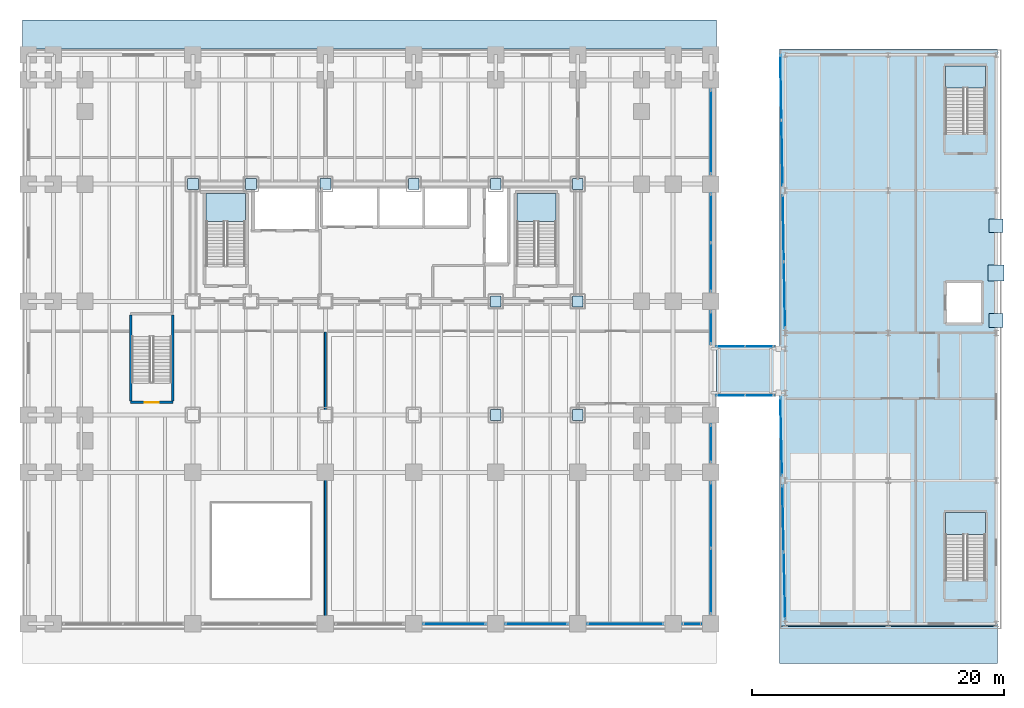
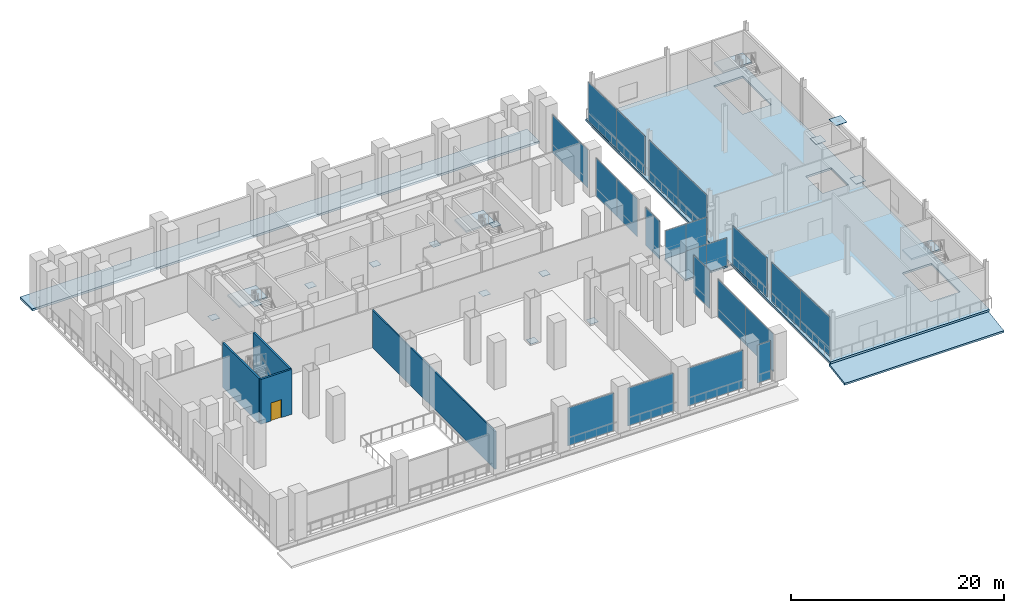
# One storey, part 19 of 32: 35 plates, 8 slabs, 4 walls, 1 door, 4 openings, 19 elements without a shape of their own.
"""IFC4 building model written with IfcOpenShell, lengths in metres."""

from ifc_helpers import new_model, si_unit, direction, frame, frame_2d, origin, origin_2d, place, context, subcontext, project, spatial, polyline, rectangle, outline, extrude, material, layer, layer_set, type_object, element, fill, aggregate, save


model = new_model("IFC4")

# Units and contexts
model_context = context("Model", 3, precision=1e-05, world=origin(), true_north=direction((0.0, 1.0)))
body_context = subcontext(model_context, "Body", "Model", "MODEL_VIEW")
ifc_project = project(units=[si_unit("LENGTHUNIT", "METRE"), si_unit("AREAUNIT", "SQUARE_METRE"), si_unit("VOLUMEUNIT", "CUBIC_METRE"), si_unit("PLANEANGLEUNIT", "RADIAN"), si_unit("MASSUNIT", "GRAM", prefix="KILO")], contexts=[model_context])

# Site, building, storey
site_placement = place(None, origin())
site = spatial("IfcSite", under=ifc_project, at=site_placement, CompositionType="ELEMENT")
building_placement = place(site_placement, origin())
building = spatial("IfcBuilding", under=site, at=building_placement, Name="Noeulbin Bourse Tower", CompositionType="ELEMENT")
storey_placement = place(building_placement, frame((0.0, 0.0, 5.800048828125)))
storey = spatial("IfcBuildingStorey", under=building, at=storey_placement, Name="L02", CompositionType="ELEMENT", Elevation=5.800048828125)

# Curtain wall, plate
ifc_material_1 = material(Name="Laminated Clear Low-E Glass", Category="glass")
curtain_wall_type_1 = type_object("IfcCurtainWallType", Name="CW-SYS-1", PredefinedType="NOTDEFINED", material=ifc_material_1)
curtain_wall_1_placement = place(storey_placement, origin())
curtain_wall_1 = element("IfcCurtainWall", 1, at=curtain_wall_1_placement, inside=storey, type_object=curtain_wall_type_1, Name="Unitised Curtain Wall CW-L02-POD-S-S4", PredefinedType="NOTDEFINED")
ifc_layer_1 = layer(ifc_material_1, 0.035888671875)
ifc_layer_set_1 = layer_set([ifc_layer_1], Name="Laminated Clear Low-E Glass")
plate_type_1 = type_object("IfcPlateType", Name="CW-SYS-1-PNL", PredefinedType="CURTAIN_PANEL", material=ifc_layer_set_1)
plate_1_placement = place(storey_placement, frame((34.25, 3.449951171875, 0.0), z_axis=(0.0, 0.0, 1.0), x_axis=(1.0, 0.0, 0.0)))
plate_1 = element("IfcPlate", 2, at=plate_1_placement, type_object=plate_type_1, Name="Glazed Curtain Panel CW-L02-POD-S-S4-P00", PredefinedType="CURTAIN_PANEL", context=body_context, shape_type="SweptSolid", body=[
    extrude(rectangle(XDim=4.929931640625, YDim=0.035888671875, at=origin_2d()), origin(), (0.0, 0.0, 1.0), 4.3701171875),
])
aggregate(curtain_wall_1, [plate_1])

curtain_wall_2_placement = place(storey_placement, origin())
curtain_wall_2 = element("IfcCurtainWall", 3, at=curtain_wall_2_placement, inside=storey, type_object=curtain_wall_type_1, Name="Unitised Curtain Wall CW-L02-POD-S-S5", PredefinedType="NOTDEFINED")
plate_2_placement = place(storey_placement, frame((40.75, 3.449951171875, 0.0), z_axis=(0.0, 0.0, 1.0), x_axis=(1.0, 0.0, 0.0)))
plate_2 = element("IfcPlate", 4, at=plate_2_placement, type_object=plate_type_1, Name="Glazed Curtain Panel CW-L02-POD-S-S5-P00", PredefinedType="CURTAIN_PANEL", context=body_context, shape_type="SweptSolid", body=[
    extrude(rectangle(XDim=4.929931640625, YDim=0.035888671875, at=origin_2d()), origin(), (0.0, 0.0, 1.0), 4.3701171875),
])
aggregate(curtain_wall_2, [plate_2])

curtain_wall_3_placement = place(storey_placement, origin())
curtain_wall_3 = element("IfcCurtainWall", 5, at=curtain_wall_3_placement, inside=storey, type_object=curtain_wall_type_1, Name="Unitised Curtain Wall CW-L02-POD-S-S6", PredefinedType="NOTDEFINED")
plate_3_placement = place(storey_placement, frame((47.77490234375, 3.449951171875, 0.0), z_axis=(0.0, 0.0, 1.0), x_axis=(1.0, 0.0, 0.0)))
plate_3 = element("IfcPlate", 6, at=plate_3_placement, type_object=plate_type_1, Name="Glazed Curtain Panel CW-L02-POD-S-S6-P00", PredefinedType="CURTAIN_PANEL", context=body_context, shape_type="SweptSolid", body=[
    extrude(rectangle(XDim=5.97998046875, YDim=0.035888671875, at=origin_2d()), origin(), (0.0, 0.0, 1.0), 4.3701171875),
])
aggregate(curtain_wall_3, [plate_3])

curtain_wall_4_placement = place(storey_placement, origin())
curtain_wall_4 = element("IfcCurtainWall", 7, at=curtain_wall_4_placement, inside=storey, type_object=curtain_wall_type_1, Name="Unitised Curtain Wall CW-L02-POD-S-S7", PredefinedType="NOTDEFINED")
plate_4_placement = place(storey_placement, frame((53.050048828125, 3.449951171875, 0.0), z_axis=(0.0, 0.0, 1.0), x_axis=(1.0, 0.0, 0.0)))
plate_4 = element("IfcPlate", 8, at=plate_4_placement, type_object=plate_type_1, Name="Glazed Curtain Panel CW-L02-POD-S-S7-P00", PredefinedType="CURTAIN_PANEL", context=body_context, shape_type="SweptSolid", body=[
    extrude(rectangle(XDim=1.429931640625, YDim=0.035888671875, at=origin_2d()), origin(), (0.0, 0.0, 1.0), 4.3701171875),
])
aggregate(curtain_wall_4, [plate_4])

# Curtain wall, plates
curtain_wall_5_placement = place(storey_placement, origin())
curtain_wall_5 = element("IfcCurtainWall", 9, at=curtain_wall_5_placement, inside=storey, type_object=curtain_wall_type_1, Name="Unitised Curtain Wall CW-L02-POD-E1-S1", PredefinedType="NOTDEFINED")
plate_5_placement = place(storey_placement, frame((54.550048828125, 6.842529296875, 0.0), z_axis=(0.0, 0.0, 1.0), x_axis=(0.0, 1.0, 0.0)))
plate_5 = element("IfcPlate", 10, at=plate_5_placement, type_object=plate_type_1, Name="Glazed Curtain Panel CW-L02-POD-E1-S1-P00", PredefinedType="CURTAIN_PANEL", context=body_context, shape_type="SweptSolid", body=[
    extrude(rectangle(XDim=5.215087890625, YDim=0.035888671875, at=origin_2d()), origin(), (0.0, 0.0, 1.0), 4.3701171875),
])
plate_6_placement = place(storey_placement, frame((54.550048828125, 12.0576171875, 0.0), z_axis=(0.0, 0.0, 1.0), x_axis=(0.0, 1.0, 0.0)))
plate_6 = element("IfcPlate", 11, at=plate_6_placement, type_object=plate_type_1, Name="Glazed Curtain Panel CW-L02-POD-E1-S1-P01", PredefinedType="CURTAIN_PANEL", context=body_context, shape_type="SweptSolid", body=[
    extrude(rectangle(XDim=5.215087890625, YDim=0.035888671875, at=origin_2d()), origin(), (0.0, 0.0, 1.0), 4.3701171875),
])
aggregate(curtain_wall_5, [plate_5, plate_6])

# Curtain wall, plate
curtain_wall_6_placement = place(storey_placement, origin())
curtain_wall_6 = element("IfcCurtainWall", 12, at=curtain_wall_6_placement, inside=storey, type_object=curtain_wall_type_1, Name="Unitised Curtain Wall CW-L02-POD-E1-S2", PredefinedType="NOTDEFINED")
plate_7_placement = place(storey_placement, frame((54.550048828125, 17.72509765625, 0.0), z_axis=(0.0, 0.0, 1.0), x_axis=(0.0, 1.0, 0.0)))
plate_7 = element("IfcPlate", 13, at=plate_7_placement, type_object=plate_type_1, Name="Glazed Curtain Panel CW-L02-POD-E1-S2-P00", PredefinedType="CURTAIN_PANEL", context=body_context, shape_type="SweptSolid", body=[
    extrude(rectangle(XDim=2.97998046875, YDim=0.035888671875, at=origin_2d()), origin(), (0.0, 0.0, 1.0), 4.3701171875),
])
aggregate(curtain_wall_6, [plate_7])

curtain_wall_7_placement = place(storey_placement, origin())
curtain_wall_7 = element("IfcCurtainWall", 14, at=curtain_wall_7_placement, inside=storey, type_object=curtain_wall_type_1, Name="Unitised Curtain Wall CW-L02-POD-E2-S1", PredefinedType="NOTDEFINED")
plate_8_placement = place(storey_placement, frame((54.550048828125, 26.907470703125, 0.0), z_axis=(0.0, 0.0, 1.0), x_axis=(0.0, 1.0, 0.0)))
plate_8 = element("IfcPlate", 15, at=plate_8_placement, type_object=plate_type_1, Name="Glazed Curtain Panel CW-L02-POD-E2-S1-P00", PredefinedType="CURTAIN_PANEL", context=body_context, shape_type="SweptSolid", body=[
    extrude(rectangle(XDim=2.614990234375, YDim=0.035888671875, at=origin_2d()), origin(), (0.0, 0.0, 1.0), 4.3701171875),
])
aggregate(curtain_wall_7, [plate_8])

# Curtain wall, plates
curtain_wall_8_placement = place(storey_placement, origin())
curtain_wall_8 = element("IfcCurtainWall", 16, at=curtain_wall_8_placement, inside=storey, type_object=curtain_wall_type_1, Name="Unitised Curtain Wall CW-L02-POD-E2-S2", PredefinedType="NOTDEFINED")
plate_9_placement = place(storey_placement, frame((54.550048828125, 31.717529296875, 0.0), z_axis=(0.0, 0.0, 1.0), x_axis=(0.0, 1.0, 0.0)))
plate_9 = element("IfcPlate", 17, at=plate_9_placement, type_object=plate_type_1, Name="Glazed Curtain Panel CW-L02-POD-E2-S2-P00", PredefinedType="CURTAIN_PANEL", context=body_context, shape_type="SweptSolid", body=[
    extrude(rectangle(XDim=3.864990234375, YDim=0.035888671875, at=origin_2d()), origin(), (0.0, 0.0, 1.0), 4.3701171875),
])
plate_10_placement = place(storey_placement, frame((54.550048828125, 35.58251953125, 0.0), z_axis=(0.0, 0.0, 1.0), x_axis=(0.0, 1.0, 0.0)))
plate_10 = element("IfcPlate", 18, at=plate_10_placement, type_object=plate_type_1, Name="Glazed Curtain Panel CW-L02-POD-E2-S2-P01", PredefinedType="CURTAIN_PANEL", context=body_context, shape_type="SweptSolid", body=[
    extrude(rectangle(XDim=3.864990234375, YDim=0.035888671875, at=origin_2d()), origin(), (0.0, 0.0, 1.0), 4.3701171875),
])
aggregate(curtain_wall_8, [plate_9, plate_10])

# Curtain wall, plate
curtain_wall_9_placement = place(storey_placement, origin())
curtain_wall_9 = element("IfcCurtainWall", 19, at=curtain_wall_9_placement, inside=storey, type_object=curtain_wall_type_1, Name="Unitised Curtain Wall CW-L02-POD-E2-S3", PredefinedType="NOTDEFINED")
plate_11_placement = place(storey_placement, frame((54.550048828125, 42.425048828125, 0.0), z_axis=(0.0, 0.0, 1.0), x_axis=(0.0, 1.0, 0.0)))
plate_11 = element("IfcPlate", 20, at=plate_11_placement, type_object=plate_type_1, Name="Glazed Curtain Panel CW-L02-POD-E2-S3-P00", PredefinedType="CURTAIN_PANEL", context=body_context, shape_type="SweptSolid", body=[
    extrude(rectangle(XDim=6.679931640625, YDim=0.035888671875, at=origin_2d()), origin(), (0.0, 0.0, 1.0), 4.3701171875),
])
aggregate(curtain_wall_9, [plate_11])

# Curtain wall, plates
curtain_wall_10_placement = place(storey_placement, origin())
curtain_wall_10 = element("IfcCurtainWall", 21, at=curtain_wall_10_placement, inside=storey, type_object=curtain_wall_type_1, Name="Unitised Curtain Wall CW-L02-MKT-W1-S1", PredefinedType="NOTDEFINED")
plate_12_placement = place(storey_placement, frame((60.382568359375, 6.474609375, 0.0), z_axis=(0.0, 0.0, 1.0), x_axis=(-0.022286009351, 0.999751636051, 0.0)))
plate_12 = element("IfcPlate", 22, at=plate_12_placement, type_object=plate_type_1, Name="Glazed Curtain Panel CW-L02-MKT-W1-S1-P00", PredefinedType="CURTAIN_PANEL", context=body_context, shape_type="SweptSolid", body=[
    extrude(rectangle(XDim=5.30224609375, YDim=0.035888671875, at=origin_2d()), origin(), (0.0, 0.0, 1.0), 4.5),
])
plate_13_placement = place(storey_placement, frame((60.264404296875, 11.775390625, 0.0), z_axis=(0.0, 0.0, 1.0), x_axis=(-0.022286009351, 0.999751636051, 0.0)))
plate_13 = element("IfcPlate", 23, at=plate_13_placement, type_object=plate_type_1, Name="Glazed Curtain Panel CW-L02-MKT-W1-S1-P01", PredefinedType="CURTAIN_PANEL", context=body_context, shape_type="SweptSolid", body=[
    extrude(rectangle(XDim=5.30224609375, YDim=0.035888671875, at=origin_2d()), origin(), (0.0, 0.0, 1.0), 4.5),
])
aggregate(curtain_wall_10, [plate_12, plate_13])

# Curtain wall, plate
curtain_wall_11_placement = place(storey_placement, origin())
curtain_wall_11 = element("IfcCurtainWall", 24, at=curtain_wall_11_placement, inside=storey, type_object=curtain_wall_type_1, Name="Unitised Curtain Wall CW-L02-MKT-W1-S2", PredefinedType="NOTDEFINED")
plate_14_placement = place(storey_placement, frame((60.119384765625, 18.287109375, 0.0), z_axis=(0.0, 0.0, 1.0), x_axis=(-0.02226856039, 0.999752024863, 0.0)))
plate_14 = element("IfcPlate", 25, at=plate_14_placement, type_object=plate_type_1, Name="Glazed Curtain Panel CW-L02-MKT-W1-S2-P00", PredefinedType="CURTAIN_PANEL", context=body_context, shape_type="SweptSolid", body=[
    extrude(rectangle(XDim=6.2275390625, YDim=0.035888671875, at=origin_2d()), origin(), (0.0, 0.0, 1.0), 4.5),
])
aggregate(curtain_wall_11, [plate_14])

# Curtain wall, plates
curtain_wall_12_placement = place(storey_placement, origin())
curtain_wall_12 = element("IfcCurtainWall", 26, at=curtain_wall_12_placement, inside=storey, type_object=curtain_wall_type_1, Name="Unitised Curtain Wall CW-L02-MKT-W2-S1", PredefinedType="NOTDEFINED")
plate_15_placement = place(storey_placement, frame((60.3818359375, 29.511962890625, 0.0), z_axis=(0.0, 0.0, 1.0), x_axis=(-0.017417505158, 0.999848303751, 0.0)))
plate_15 = element("IfcPlate", 27, at=plate_15_placement, type_object=plate_type_1, Name="Glazed Curtain Panel CW-L02-MKT-W2-S1-P00", PredefinedType="CURTAIN_PANEL", context=body_context, shape_type="SweptSolid", body=[
    extrude(rectangle(XDim=5.27685546875, YDim=0.035888671875, at=origin_2d()), origin(), (0.0, 0.0, 1.0), 4.5),
])
plate_16_placement = place(storey_placement, frame((60.289794921875, 34.7880859375, 0.0), z_axis=(0.0, 0.0, 1.0), x_axis=(-0.017417505158, 0.999848303751, 0.0)))
plate_16 = element("IfcPlate", 28, at=plate_16_placement, type_object=plate_type_1, Name="Glazed Curtain Panel CW-L02-MKT-W2-S1-P01", PredefinedType="CURTAIN_PANEL", context=body_context, shape_type="SweptSolid", body=[
    extrude(rectangle(XDim=5.27685546875, YDim=0.035888671875, at=origin_2d()), origin(), (0.0, 0.0, 1.0), 4.5),
])
aggregate(curtain_wall_12, [plate_15, plate_16])

curtain_wall_13_placement = place(storey_placement, origin())
curtain_wall_13 = element("IfcCurtainWall", 29, at=curtain_wall_13_placement, inside=storey, type_object=curtain_wall_type_1, Name="Unitised Curtain Wall CW-L02-MKT-W2-S2", PredefinedType="NOTDEFINED")
plate_17_placement = place(storey_placement, frame((60.185546875, 40.76806640625, 0.0), z_axis=(0.0, 0.0, 1.0), x_axis=(-0.017417505158, 0.999848303751, 0.0)))
plate_17 = element("IfcPlate", 30, at=plate_17_placement, type_object=plate_type_1, Name="Glazed Curtain Panel CW-L02-MKT-W2-S2-P00", PredefinedType="CURTAIN_PANEL", context=body_context, shape_type="SweptSolid", body=[
    extrude(rectangle(XDim=5.188720703125, YDim=0.035888671875, at=origin_2d()), origin(), (0.0, 0.0, 1.0), 4.5),
])
plate_18_placement = place(storey_placement, frame((60.09521484375, 45.9560546875, 0.0), z_axis=(0.0, 0.0, 1.0), x_axis=(-0.017417505158, 0.999848303751, 0.0)))
plate_18 = element("IfcPlate", 31, at=plate_18_placement, type_object=plate_type_1, Name="Glazed Curtain Panel CW-L02-MKT-W2-S2-P01", PredefinedType="CURTAIN_PANEL", context=body_context, shape_type="SweptSolid", body=[
    extrude(rectangle(XDim=5.188720703125, YDim=0.035888671875, at=origin_2d()), origin(), (0.0, 0.0, 1.0), 4.5),
])
aggregate(curtain_wall_13, [plate_17, plate_18])

ifc_material_2 = material(Name="Acoustic Laminated Skylight Glazing", Category="glass")
curtain_wall_type_2 = type_object("IfcCurtainWallType", Name="CW-SYS-6", PredefinedType="NOTDEFINED", material=ifc_material_2)
curtain_wall_14_placement = place(storey_placement, origin())
curtain_wall_14 = element("IfcCurtainWall", 32, at=curtain_wall_14_placement, inside=storey, type_object=curtain_wall_type_2, Name="Unitised Curtain Wall CW-L02-BRG-S", PredefinedType="NOTDEFINED")
ifc_layer_2 = layer(ifc_material_2, 0.035888671875)
ifc_layer_set_2 = layer_set([ifc_layer_2], Name="Acoustic Laminated Skylight Glazing")
plate_type_2 = type_object("IfcPlateType", Name="CW-SYS-6-PNL", PredefinedType="CURTAIN_PANEL", material=ifc_layer_set_2)
plate_19_placement = place(storey_placement, frame((56.14501953125, 21.56005859375, 0.0), z_axis=(0.0, 0.0, 1.0), x_axis=(1.0, 0.0, 0.0)))
plate_19 = element("IfcPlate", 33, at=plate_19_placement, type_object=plate_type_2, Name="Glazed Curtain Panel CW-L02-BRG-S-P00", PredefinedType="CURTAIN_PANEL", context=body_context, shape_type="SweptSolid", body=[
    extrude(rectangle(XDim=2.25, YDim=0.035888671875, at=origin_2d()), origin(), (0.0, 0.0, 1.0), 3.199951171875),
])
plate_20_placement = place(storey_placement, frame((58.39501953125, 21.56005859375, 0.0), z_axis=(0.0, 0.0, 1.0), x_axis=(1.0, 0.0, 0.0)))
plate_20 = element("IfcPlate", 34, at=plate_20_placement, type_object=plate_type_2, Name="Glazed Curtain Panel CW-L02-BRG-S-P01", PredefinedType="CURTAIN_PANEL", context=body_context, shape_type="SweptSolid", body=[
    extrude(rectangle(XDim=2.25, YDim=0.035888671875, at=origin_2d()), origin(), (0.0, 0.0, 1.0), 3.199951171875),
])
aggregate(curtain_wall_14, [plate_19, plate_20])

curtain_wall_15_placement = place(storey_placement, origin())
curtain_wall_15 = element("IfcCurtainWall", 35, at=curtain_wall_15_placement, inside=storey, type_object=curtain_wall_type_2, Name="Unitised Curtain Wall CW-L02-BRG-N", PredefinedType="NOTDEFINED")
plate_21_placement = place(storey_placement, frame((56.14501953125, 25.43994140625, 0.0), z_axis=(0.0, 0.0, 1.0), x_axis=(1.0, 0.0, 0.0)))
plate_21 = element("IfcPlate", 36, at=plate_21_placement, type_object=plate_type_2, Name="Glazed Curtain Panel CW-L02-BRG-N-P00", PredefinedType="CURTAIN_PANEL", context=body_context, shape_type="SweptSolid", body=[
    extrude(rectangle(XDim=2.25, YDim=0.035888671875, at=origin_2d()), origin(), (0.0, 0.0, 1.0), 3.199951171875),
])
plate_22_placement = place(storey_placement, frame((58.39501953125, 25.43994140625, 0.0), z_axis=(0.0, 0.0, 1.0), x_axis=(1.0, 0.0, 0.0)))
plate_22 = element("IfcPlate", 37, at=plate_22_placement, type_object=plate_type_2, Name="Glazed Curtain Panel CW-L02-BRG-N-P01", PredefinedType="CURTAIN_PANEL", context=body_context, shape_type="SweptSolid", body=[
    extrude(rectangle(XDim=2.25, YDim=0.035888671875, at=origin_2d()), origin(), (0.0, 0.0, 1.0), 3.199951171875),
])
aggregate(curtain_wall_15, [plate_21, plate_22])

# Plates
ifc_material_3 = material(Name="Steel S355", Category="steel")
ifc_layer_3 = layer(ifc_material_3, 0.030029296875)
ifc_layer_set_3 = layer_set([ifc_layer_3], Name="Steel S355")
plate_type_3 = type_object("IfcPlateType", Name="PLT-BN1", PredefinedType="USERDEFINED", material=ifc_layer_set_3)
for number, where, z_axis, x_axis, name in (
    (38, (13.5, 38.300048828125, 0.0048828125), (0.0, 0.0, 1.0), (1.0, 0.0, 0.0), "Mega-Column Splice Plate BN1-L02-02"),
    (39, (18.10009765625, 38.300048828125, 0.0048828125), (0.0, 0.0, 1.0), (1.0, 0.0, 0.0), "Mega-Column Splice Plate BN1-L02-04"),
    (40, (24.0, 38.300048828125, 0.0048828125), (0.0, 0.0, 1.0), (1.0, 0.0, 0.0), "Mega-Column Splice Plate BN1-L02-06"),
    (41, (31.0, 38.300048828125, 0.0048828125), (0.0, 0.0, 1.0), (1.0, 0.0, 0.0), "Mega-Column Splice Plate BN1-L02-08"),
    (42, (37.5, 29.0, 0.0048828125), (0.0, 0.0, 1.0), (1.0, 0.0, 0.0), "Mega-Column Splice Plate BN1-L02-09"),
    (43, (37.5, 38.300048828125, 0.0048828125), (0.0, 0.0, 1.0), (1.0, 0.0, 0.0), "Mega-Column Splice Plate BN1-L02-10"),
    (44, (44.0, 29.0, 0.0048828125), (0.0, 0.0, 1.0), (1.0, 0.0, 0.0), "Mega-Column Splice Plate BN1-L02-11"),
    (45, (44.0, 38.300048828125, 0.0048828125), (0.0, 0.0, 1.0), (1.0, 0.0, 0.0), "Mega-Column Splice Plate BN1-L02-12"),
    (46, (37.5, 20.0, 0.0048828125), (0.0, 0.0, 1.0), (1.0, 0.0, 0.0), "Mega-Column Splice Plate BN1-L02-16"),
    (47, (44.0, 20.0, 0.0048828125), (0.0, 0.0, 1.0), (1.0, 0.0, 0.0), "Mega-Column Splice Plate BN1-L02-17"),
):
    element("IfcPlate", number, at=place(storey_placement, frame(where, z_axis=z_axis, x_axis=x_axis)), inside=storey, type_object=plate_type_3, Name=name, ObjectType="SPLICE PLATE", PredefinedType="USERDEFINED", context=body_context, shape_type="SweptSolid", body=[
        extrude(rectangle(XDim=0.85009765625, YDim=0.85009765625, at=origin_2d()), origin(), (0.0, 0.0, 1.0), 0.030029296875),
    ])
ifc_material_4 = material(Name="Steel S460", Category="steel")
ifc_layer_4 = layer(ifc_material_4, 0.0400390625)
ifc_layer_set_4 = layer_set([ifc_layer_4], Name="Steel S460")
plate_type_4 = type_object("IfcPlateType", Name="PLT-KN1", PredefinedType="USERDEFINED", material=ifc_layer_set_4)
plate_23_placement = place(storey_placement, frame((77.14990234375, 31.25, 4.510009765625), z_axis=(0.0, 0.0, 1.0), x_axis=(1.0, 0.0, 0.0)))
element("IfcPlate", 48, at=plate_23_placement, inside=storey, type_object=plate_type_4, Name="Market Brace Apex Gusset Plate KN1-ML02M", ObjectType="GUSSET PLATE", PredefinedType="USERDEFINED", context=body_context, shape_type="SweptSolid", body=[
    extrude(rectangle(XDim=1.25, YDim=1.25, at=origin_2d()), origin(), (0.0, 0.0, 1.0), 0.0400390625),
])
ifc_layer_5 = layer(ifc_material_4, 0.035888671875)
ifc_layer_set_5 = layer_set([ifc_layer_5], Name="Steel S460")
plate_type_5 = type_object("IfcPlateType", Name="PLT-KN2", PredefinedType="USERDEFINED", material=ifc_layer_set_5)
for number, where, z_axis, x_axis, name in (
    (49, (77.14990234375, 27.5, 0.0419921875), (0.0, 0.0, 1.0), (1.0, 0.0, 0.0), "Market Brace South Gusset Plate KN2-ML02A"),
    (50, (77.14990234375, 35.0, 0.0419921875), (0.0, 0.0, 1.0), (1.0, 0.0, 0.0), "Market Brace North Gusset Plate KN2-ML02B"),
):
    element("IfcPlate", number, at=place(storey_placement, frame(where, z_axis=z_axis, x_axis=x_axis)), inside=storey, type_object=plate_type_5, Name=name, ObjectType="GUSSET PLATE", PredefinedType="USERDEFINED", context=body_context, shape_type="SweptSolid", body=[
        extrude(rectangle(XDim=1.10009765625, YDim=1.10009765625, at=origin_2d()), origin(), (0.0, 0.0, 1.0), 0.035888671875),
    ])

# Slab
ifc_material_5 = material(Name="Concrete C40/50", Category="concrete")
ifc_layer_6 = layer(ifc_material_5, 0.199951171875)
ifc_layer_set_6 = layer_set([ifc_layer_6], Name="Concrete C40/50")
slab_type_1 = type_object("IfcSlabType", Name="SLB-BRG-200", PredefinedType="FLOOR", material=ifc_layer_set_6)
slab_1_placement = place(storey_placement, frame((0.0, 0.0, -0.199951171875)))
element("IfcSlab", 51, at=slab_1_placement, inside=storey, type_object=slab_type_1, Name="Concourse Link Bridge Slab L02", PredefinedType="FLOOR", context=body_context, shape_type="SweptSolid", body=[
    extrude(outline(polyline([(55.0, 21.5), (59.550048828125, 21.5), (59.550048828125, 25.5), (55.0, 25.5), (55.0, 21.5)])), origin(), (0.0, 0.0, 1.0), 0.199951171875),
])

# Stair, slab
stair_type_1 = type_object("IfcStairType", Name="STR-CORE-1560", PredefinedType="HALF_TURN_STAIR", material=ifc_material_5)
stair_1_placement = place(storey_placement, origin())
stair_1 = element("IfcStair", 52, at=stair_1_placement, inside=storey, type_object=stair_type_1, Name="L02 ST-1", PredefinedType="HALF_TURN_STAIR")
ifc_layer_7 = layer(ifc_material_5, 0.199951171875)
ifc_layer_set_7 = layer_set([ifc_layer_7], Name="Concrete C40/50")
slab_type_2 = type_object("IfcSlabType", Name="SLB-LND-200", PredefinedType="LANDING", material=ifc_layer_set_7)
slab_2_placement = place(storey_placement, frame((0.0, 0.0, 2.5)))
slab_2 = element("IfcSlab", 53, at=slab_2_placement, type_object=slab_type_2, Name="ST-1 landing 1", PredefinedType="LANDING", context=body_context, shape_type="SweptSolid", body=[
    extrude(outline(polyline([(17.64990234375, 35.337890625), (17.64990234375, 37.5439453125), (14.550048828125, 37.5439453125), (14.550048828125, 35.337890625), (17.64990234375, 35.337890625)])), origin(), (0.0, 0.0, 1.0), 0.199951171875),
])
aggregate(stair_1, [slab_2])

stair_2_placement = place(storey_placement, origin())
stair_2 = element("IfcStair", 54, at=stair_2_placement, inside=storey, type_object=stair_type_1, Name="L02 ST-2", PredefinedType="HALF_TURN_STAIR")
slab_3_placement = place(storey_placement, frame((0.0, 0.0, 2.5)))
slab_3 = element("IfcSlab", 55, at=slab_3_placement, type_object=slab_type_2, Name="ST-2 landing 1", PredefinedType="LANDING", context=body_context, shape_type="SweptSolid", body=[
    extrude(outline(polyline([(42.280029296875, 35.337890625), (42.280029296875, 37.5439453125), (39.179931640625, 37.5439453125), (39.179931640625, 35.337890625), (42.280029296875, 35.337890625)])), origin(), (0.0, 0.0, 1.0), 0.199951171875),
])
aggregate(stair_2, [slab_3])

stair_type_2 = type_object("IfcStairType", Name="STR-MKT-1480", PredefinedType="HALF_TURN_STAIR", material=ifc_material_5)
stair_3_placement = place(storey_placement, origin())
stair_3 = element("IfcStair", 56, at=stair_3_placement, inside=storey, type_object=stair_type_2, Name="L02 MST-1", PredefinedType="HALF_TURN_STAIR")
slab_4_placement = place(storey_placement, frame((0.0, 0.0, 2.5)))
slab_4 = element("IfcSlab", 57, at=slab_4_placement, type_object=slab_type_2, Name="MST-1 landing 1", PredefinedType="LANDING", context=body_context, shape_type="SweptSolid", body=[
    extrude(outline(polyline([(76.300048828125, 10.52001953125), (76.300048828125, 12.260009765625), (73.139892578125, 12.260009765625), (73.139892578125, 10.52001953125), (76.300048828125, 10.52001953125)])), origin(), (0.0, 0.0, 1.0), 0.199951171875),
])
aggregate(stair_3, [slab_4])

stair_4_placement = place(storey_placement, origin())
stair_4 = element("IfcStair", 58, at=stair_4_placement, inside=storey, type_object=stair_type_2, Name="L02 MST-2", PredefinedType="HALF_TURN_STAIR")
slab_5_placement = place(storey_placement, frame((0.0, 0.0, 2.5)))
slab_5 = element("IfcSlab", 59, at=slab_5_placement, type_object=slab_type_2, Name="MST-2 landing 1", PredefinedType="LANDING", context=body_context, shape_type="SweptSolid", body=[
    extrude(outline(polyline([(76.300048828125, 45.919921875), (76.300048828125, 47.659912109375), (73.139892578125, 47.659912109375), (73.139892578125, 45.919921875), (76.300048828125, 45.919921875)])), origin(), (0.0, 0.0, 1.0), 0.199951171875),
])
aggregate(stair_4, [slab_5])

# Slab, openings
ifc_layer_8 = layer(ifc_material_5, 0.219970703125)
ifc_layer_set_8 = layer_set([ifc_layer_8], Name="Concrete C40/50")
slab_type_3 = type_object("IfcSlabType", Name="SLB-MKT-220", PredefinedType="FLOOR", material=ifc_layer_set_8)
slab_6_placement = place(storey_placement, frame((0.0, 0.0, -0.219970703125)))
slab_6 = element("IfcSlab", 60, at=slab_6_placement, inside=storey, type_object=slab_type_3, Name="Market Hall Floor Slab L02", PredefinedType="FLOOR", context=body_context, shape_type="SweptSolid", body=[
    extrude(outline(polyline([(60.0, 3.0), (77.27001953125, 3.0), (77.27001953125, 49.0), (60.0, 49.0), (60.0, 3.0)]), holes=[polyline([(76.300048828125, 6.8798828125), (76.300048828125, 12.260009765625), (73.139892578125, 12.260009765625), (73.139892578125, 6.8798828125), (76.300048828125, 6.8798828125)]), polyline([(76.300048828125, 42.280029296875), (76.300048828125, 47.659912109375), (73.139892578125, 47.659912109375), (73.139892578125, 42.280029296875), (76.300048828125, 42.280029296875)]), polyline([(73.199951171875, 27.300048828125), (76.0, 27.300048828125), (76.0, 30.5), (73.199951171875, 30.5), (73.199951171875, 27.300048828125)])]), origin(), (0.0, 0.0, 1.0), 0.219970703125),
])
opening_1_placement = place(slab_6_placement, frame((0.0, 0.0, -0.010009765625)))
element("IfcOpeningElement", 61, at=opening_1_placement, cuts=slab_6, Name="Slab Shaft Opening SLB-L02-MKT-1", PredefinedType="OPENING", context=body_context, shape_type="SweptSolid", body=[
    extrude(outline(polyline([(76.300048828125, 6.8798828125), (76.300048828125, 12.260009765625), (73.139892578125, 12.260009765625), (73.139892578125, 6.8798828125), (76.300048828125, 6.8798828125)])), origin(), (0.0, 0.0, 1.0), 0.239990234375),
])
opening_2_placement = place(slab_6_placement, frame((0.0, 0.0, -0.010009765625)))
element("IfcOpeningElement", 62, at=opening_2_placement, cuts=slab_6, Name="Slab Shaft Opening SLB-L02-MKT-2", PredefinedType="OPENING", context=body_context, shape_type="SweptSolid", body=[
    extrude(outline(polyline([(76.300048828125, 42.280029296875), (76.300048828125, 47.659912109375), (73.139892578125, 47.659912109375), (73.139892578125, 42.280029296875), (76.300048828125, 42.280029296875)])), origin(), (0.0, 0.0, 1.0), 0.239990234375),
])
opening_3_placement = place(slab_6_placement, frame((0.0, 0.0, -0.010009765625)))
element("IfcOpeningElement", 63, at=opening_3_placement, cuts=slab_6, Name="Slab Shaft Opening SLB-L02-MKT-3", PredefinedType="OPENING", context=body_context, shape_type="SweptSolid", body=[
    extrude(outline(polyline([(73.199951171875, 27.300048828125), (76.0, 27.300048828125), (76.0, 30.5), (73.199951171875, 30.5), (73.199951171875, 27.300048828125)])), origin(), (0.0, 0.0, 1.0), 0.239990234375),
])

# Slabs
ifc_layer_9 = layer(ifc_material_5, 0.25)
ifc_layer_set_9 = layer_set([ifc_layer_9], Name="Concrete C40/50")
slab_type_4 = type_object("IfcSlabType", Name="SLB-ROOF-250", PredefinedType="ROOF", material=ifc_layer_set_9)
slab_7_placement = place(storey_placement, frame((0.0, 0.0, -1.050048828125)))
element("IfcSlab", 64, at=slab_7_placement, inside=storey, type_object=slab_type_4, Name="Podium North Perimeter Roof Slab L02", PredefinedType="ROOF", context=body_context, shape_type="SweptSolid", body=[
    extrude(outline(polyline([(0.0, 49.0), (55.0, 49.0), (55.0, 51.300048828125), (0.0, 51.300048828125), (0.0, 49.0)])), origin(), (0.0, 0.0, 1.0), 0.25),
])
slab_8_placement = place(storey_placement, frame((60.0, 0.300048828125, -0.802978515625), z_axis=(0.0, -0.151286090849, 0.988490019533), x_axis=(1.0, 0.0, 0.0)))
element("IfcSlab", 65, at=slab_8_placement, inside=storey, type_object=slab_type_4, Name="Market Hall South Perimeter Roof Slab L02", PredefinedType="ROOF", context=body_context, shape_type="SweptSolid", body=[
    extrude(outline(polyline([(0.0, 0.0), (17.27001953125, 0.0), (17.27001953125, 2.974174091954758), (0.0, 2.974174091954758), (0.0, 0.0)])), origin(), (0.0, 0.0, -1.0), 0.25),
])

# Wall, opening, door
ifc_layer_10 = layer(ifc_material_5, 0.199951171875)
ifc_layer_set_10 = layer_set([ifc_layer_10], Name="Concrete C40/50")
wall_type_1 = type_object("IfcWallType", Name="WAL-FIRE-200", PredefinedType="STANDARD", material=ifc_layer_set_10)
wall_1_placement = place(storey_placement, frame((8.56005859375, 21.0, 0.0), z_axis=(0.0, 0.0, 1.0), x_axis=(1.0, 0.0, 0.0)))
wall_1 = element("IfcWall", 66, at=wall_1_placement, inside=storey, type_object=wall_type_1, Name="Stair STP1 South Wall L02", PredefinedType="STANDARD", context=body_context, shape_type="SweptSolid", body=[
    extrude(rectangle(XDim=3.35986328125, YDim=0.199951171875, at=frame_2d((1.679931640625, 0.0))), origin(), (0.0, 0.0, 1.0), 5.14990234375),
])
opening_4_placement = place(wall_1_placement, frame((1.1298828125, 0.0, 0.0)))
opening_4 = element("IfcOpeningElement", 67, at=opening_4_placement, cuts=wall_1, Name="Opening FD-11", PredefinedType="OPENING", context=body_context, shape_type="SweptSolid", body=[
    extrude(rectangle(XDim=1.10009765625, YDim=2.080078125, at=frame_2d((0.550048828125, 1.0400390625))), frame((0.0, 0.10986328125, 0.0), z_axis=(0.0, -1.0, 0.0), x_axis=(1.0, 0.0, 0.0)), (0.0, 0.0, 1.0), 0.219970703125),
])
ifc_material_6 = material(Name="Fire-Rated Insulated Steel", Category="steel")
door_type = type_object("IfcDoorType", Name="DR-FD60-1100", OperationType="SINGLE_SWING_LEFT", PredefinedType="DOOR", material=ifc_material_6)
door_placement = place(opening_4_placement, origin())
door = element("IfcDoor", 68, at=door_placement, inside=storey, type_object=door_type, Name="Escape Stair Door STP1-L02", OperationType="SINGLE_SWING_RIGHT", OverallHeight=2.080078125, OverallWidth=1.10009765625, PredefinedType="DOOR", context=body_context, shape_type="SweptSolid", body=[
    extrude(rectangle(XDim=1.10009765625, YDim=2.080078125, at=frame_2d((0.550048828125, 1.0400390625))), frame((0.0, 0.02490234375, 0.0), z_axis=(0.0, -1.0, 0.0), x_axis=(1.0, 0.0, 0.0)), (0.0, 0.0, 1.0), 0.050048828125),
])
fill(opening_4, door)

# Walls
for number, where, z_axis, x_axis, name in (
    (69, (8.580078125, 21.10009765625, 0.0), (0.0, 0.0, 1.0), (0.0, 1.0, 0.0), "Stair STP1 West Wall L02"),
    (70, (11.89990234375, 21.10009765625, 0.0), (0.0, 0.0, 1.0), (0.0, 1.0, 0.0), "Stair STP1 East Wall L02"),
):
    element("IfcWall", number, at=place(storey_placement, frame(where, z_axis=z_axis, x_axis=x_axis)), inside=storey, type_object=wall_type_1, Name=name, PredefinedType="STANDARD", context=body_context, shape_type="SweptSolid", body=[
        extrude(rectangle(XDim=6.83984375, YDim=0.199951171875, at=frame_2d((3.419921875, 0.0))), origin(), (0.0, 0.0, 1.0), 5.14990234375),
    ])
ifc_material_7 = material(Name="Steel Stud Acoustic Gypsum Board", Category="steel")
ifc_layer_11 = layer(ifc_material_7, 0.14990234375)
ifc_layer_set_11 = layer_set([ifc_layer_11], Name="Steel Stud Acoustic Gypsum Board")
wall_type_2 = type_object("IfcWallType", Name="WAL-PRT-150", PredefinedType="PARTITIONING", material=ifc_layer_set_11)
wall_2_placement = place(storey_placement, frame((24.0, 3.530029296875, 0.0), z_axis=(0.0, 0.0, 1.0), x_axis=(0.0, 1.0, 0.0)))
element("IfcWall", 71, at=wall_2_placement, inside=storey, type_object=wall_type_2, Name="Interior Partition Wall L02-08", PredefinedType="PARTITIONING", context=body_context, shape_type="SweptSolid", body=[
    extrude(rectangle(XDim=23.034912109375, YDim=0.14990234375, at=frame_2d((11.517578125, 0.0))), origin(), (0.0, 0.0, 1.0), 4.329833984375),
])

save(model, "model.ifc")
